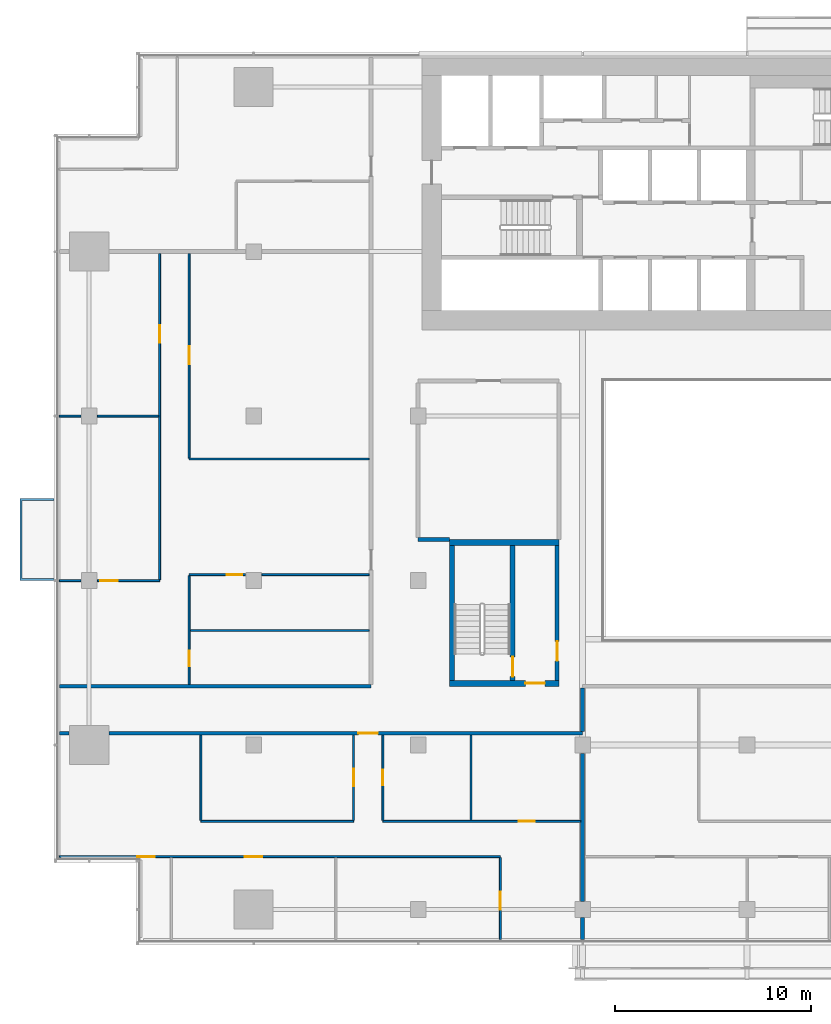
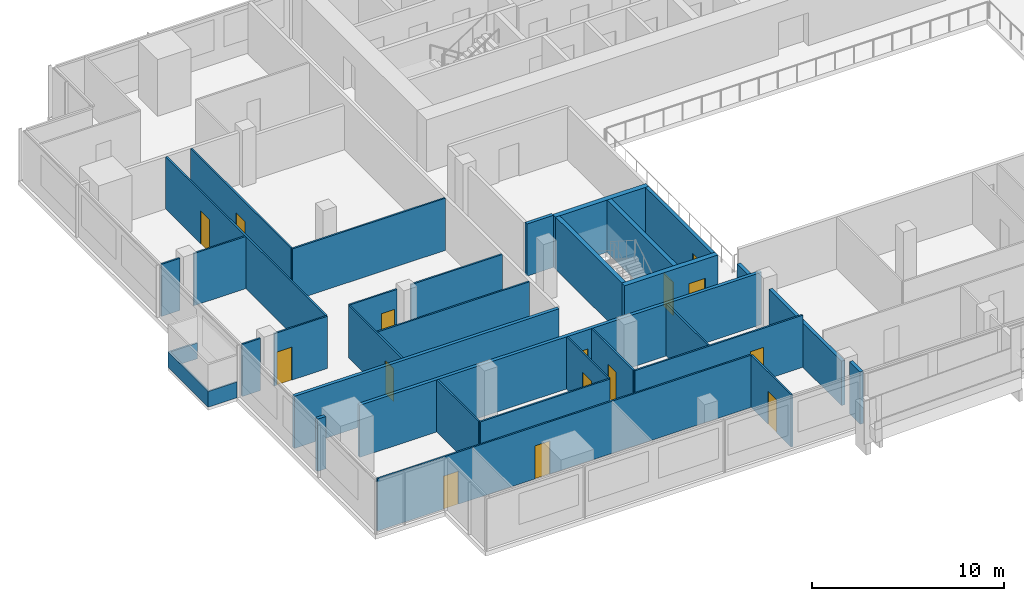
# One storey, part 17 of 26: 32 walls, 15 doors, 15 openings.
"""IFC4 building model written with IfcOpenShell, lengths in metres."""

import ifcopenshell
import ifcopenshell.guid

model = None  # the IFC model being written
_history = None  # IfcOwnerHistory: only IFC2X3 demands one
_inside = {}  # id of a spatial element -> (the spatial element, [elements in it])
_under = {}  # id of a project, library or spatial element -> (it, [spatial elements below it])
_declared = {}  # id of a project -> (the project, [libraries it declares])
_typed = {}  # id of a type object -> (the type object, [elements of that type])
_made_of = {}  # id of a material, layer set ... -> (it, [elements and type objects made of it])


def new_model(schema):
    """Start an empty IFC model of exactly this schema.

    Asked for "IFC4X3", IfcOpenShell would pick the latest addendum, in which some entities
    have other attributes; the version numbers below select the first issue.
    IFC2X3 requires an IfcOwnerHistory on every rooted entity: one is made here for all.
    """
    global model, _history
    if schema == "IFC4X3":
        model = ifcopenshell.file(schema_version=(4, 3, 0, 0))
    else:
        model = ifcopenshell.file(schema=schema)
    _inside.clear()
    _under.clear()
    _declared.clear()
    _typed.clear()
    _made_of.clear()
    _history = None
    if model.schema == "IFC2X3":
        org = make("IfcOrganization", Name="unknown")
        user = make(
            "IfcPersonAndOrganization",
            ThePerson=make("IfcPerson", FamilyName="unknown"),
            TheOrganization=org,
        )
        app = make(
            "IfcApplication",
            ApplicationDeveloper=org,
            Version="unknown",
            ApplicationFullName="unknown",
            ApplicationIdentifier="unknown",
        )
        _history = make(
            "IfcOwnerHistory",
            OwningUser=user,
            OwningApplication=app,
            ChangeAction="ADDED",
            CreationDate=0,
        )
    return model


def make(cls, **values):
    """One entity of the class cls with the attributes given. An attribute that is None is left unset."""
    return model.create_entity(
        cls, **{name: value for name, value in values.items() if value is not None}
    )


def rooted(cls, **values):
    """An entity with a GlobalId (a new one), such as an element, a storey or a relation."""
    return make(cls, GlobalId=ifcopenshell.guid.new(), OwnerHistory=_history, **values)


def si_unit(unit_type, name, prefix=None):
    """IfcSIUnit, for example si_unit("LENGTHUNIT", "METRE", prefix="MILLI")."""
    return make("IfcSIUnit", UnitType=unit_type, Prefix=prefix, Name=name)


def assignment(units):
    """IfcUnitAssignment: the units of a project."""
    return None if units is None else make("IfcUnitAssignment", Units=units)


def point(xyz):
    """IfcCartesianPoint."""
    return None if xyz is None else make("IfcCartesianPoint", Coordinates=xyz)


def direction(xyz):
    """IfcDirection."""
    return None if xyz is None else make("IfcDirection", DirectionRatios=xyz)


def frame(location, z_axis=None, x_axis=None):
    """IfcAxis2Placement3D, a coordinate frame: its origin and axes. An axis left out is left unset."""
    return make(
        "IfcAxis2Placement3D",
        Location=point(location),
        Axis=direction(z_axis),
        RefDirection=direction(x_axis),
    )


def frame_2d(location, x_axis=None):
    """IfcAxis2Placement2D, a coordinate frame in the plane: its origin and x axis."""
    return make(
        "IfcAxis2Placement2D", Location=point(location), RefDirection=direction(x_axis)
    )


def origin():
    """The frame at (0, 0, 0) with its axes left unset."""
    return frame((0.0, 0.0, 0.0))


def place(relative_to, where):
    """IfcLocalPlacement: puts the frame where relative to a parent placement (None: the world)."""
    return make(
        "IfcLocalPlacement", PlacementRelTo=relative_to, RelativePlacement=where
    )


def context(
    kind, dimensions, precision=None, world=None, true_north=None, identifier=None
):
    """IfcGeometricRepresentationContext, for example the 3D "Model" context."""
    return make(
        "IfcGeometricRepresentationContext",
        ContextIdentifier=identifier,
        ContextType=kind,
        CoordinateSpaceDimension=dimensions,
        Precision=precision,
        WorldCoordinateSystem=world,
        TrueNorth=true_north,
    )


def subcontext(parent, identifier, kind, view, scale=None):
    """IfcGeometricRepresentationSubContext, for example "Body" below "Model"."""
    return make(
        "IfcGeometricRepresentationSubContext",
        ContextIdentifier=identifier,
        ContextType=kind,
        ParentContext=parent,
        TargetScale=scale,
        TargetView=view,
    )


def project(units=None, contexts=None):
    """IfcProject with its units and contexts."""
    return rooted(
        "IfcProject",
        Name="project",
        RepresentationContexts=contexts,
        UnitsInContext=assignment(units),
    )


def spatial(cls, under=None, at=None, **own):
    """A site, building, storey or space (cls), placed at a placement, below another one or the project."""
    s = rooted(cls, ObjectPlacement=at, **own)
    if under is not None:
        _under.setdefault(under.id(), (under, []))[1].append(s)
    return s


def polyline(points):
    """IfcPolyline through the points."""
    return make("IfcPolyline", Points=[point(p) for p in points])


def profile(cls, at=None, kind="AREA", **sizes):
    """A parametric profile (cls). Its sizes go by their IFC names, for example OverallWidth=200.0."""
    return make(cls, ProfileType=kind, Position=at, **sizes)


def rectangle(**sizes):
    """IfcRectangleProfileDef."""
    return profile("IfcRectangleProfileDef", **sizes)


def outline(outer, holes=None, kind="AREA"):
    """IfcArbitraryClosedProfileDef: a profile drawn as a closed curve; with holes, ...WithVoids."""
    if holes is None:
        return make("IfcArbitraryClosedProfileDef", ProfileType=kind, OuterCurve=outer)
    return make(
        "IfcArbitraryProfileDefWithVoids",
        ProfileType=kind,
        OuterCurve=outer,
        InnerCurves=holes,
    )


def extrude(swept, where, along, depth):
    """IfcExtrudedAreaSolid: the profile swept, set in the frame where, extruded along a direction by depth."""
    return make(
        "IfcExtrudedAreaSolid",
        SweptArea=swept,
        Position=where,
        ExtrudedDirection=direction(along),
        Depth=depth,
    )


def shape(context_of_items, identifier, shape_type, items):
    """IfcShapeRepresentation: the items that make up one representation, for example the "Body"."""
    return make(
        "IfcShapeRepresentation",
        ContextOfItems=context_of_items,
        RepresentationIdentifier=identifier,
        RepresentationType=shape_type,
        Items=items,
    )


def material(Name=None, Category=None):
    """IfcMaterial."""
    return make("IfcMaterial", Name=Name, Category=Category)


def layer(
    of_material, thickness, ventilated=None, Name=None, Category=None, Priority=None
):
    """IfcMaterialLayer: one layer of a wall or slab, of a material (None: an air gap)."""
    return make(
        "IfcMaterialLayer",
        Material=of_material,
        LayerThickness=thickness,
        IsVentilated=ventilated,
        Name=Name,
        Category=Category,
        Priority=Priority,
    )


def layer_set(layers, Name=None):
    """IfcMaterialLayerSet."""
    return make("IfcMaterialLayerSet", MaterialLayers=layers, LayerSetName=Name)


def made_of(thing, what):
    """Note that an element or type object is made of a material, layer set ...; save() writes the relation."""
    if what is not None:
        _made_of.setdefault(what.id(), (what, []))[1].append(thing)
    return thing


def type_object(cls, material=None, **own):
    """A type object (cls), such as IfcWallType, which elements share."""
    return made_of(rooted(cls, **own), material)


def element(
    cls,
    number,
    at=None,
    inside=None,
    cuts=None,
    type_object=None,
    material=None,
    context=None,
    identifier="Body",
    shape_type=None,
    held_by="IfcProductDefinitionShape",
    body=None,
    shapes=None,
    **own,
):
    """One element of the class cls, such as IfcWall. Its Tag is "e" and its number.

    at: its placement. inside: the storey or other place that contains it. cuts: it is an
    opening in that element (IfcRelVoidsElement). A single representation is given by context,
    identifier, shape_type and body (its items); several are given by shapes. held_by: the class
    of the entity that holds the representations. save() writes the other relations.
    """
    e = rooted(cls, Tag="e%d" % number, ObjectPlacement=at, **own)
    if body is not None:
        shapes = [shape(context, identifier, shape_type, body)]
    if shapes is not None:
        e.Representation = make(held_by, Representations=shapes)
    if inside is not None:
        _inside.setdefault(inside.id(), (inside, []))[1].append(e)
    if cuts is not None:
        rooted(
            "IfcRelVoidsElement", RelatingBuildingElement=cuts, RelatedOpeningElement=e
        )
    if type_object is not None:
        _typed.setdefault(type_object.id(), (type_object, []))[1].append(e)
    return made_of(e, material)


def fill(opening, filler):
    """IfcRelFillsElement: the door or window that sits in an opening."""
    return rooted(
        "IfcRelFillsElement",
        RelatingOpeningElement=opening,
        RelatedBuildingElement=filler,
    )


def aggregate(whole, parts):
    """IfcRelAggregates: a whole, such as a stair, and the parts it consists of."""
    return rooted("IfcRelAggregates", RelatingObject=whole, RelatedObjects=parts)


def save(model, path):
    """Write the relations noted so far, then the file.

    IfcRelAggregates (storeys below a building ...), IfcRelContainedInSpatialStructure (elements
    in a storey), IfcRelDefinesByType, IfcRelAssociatesMaterial and IfcRelDeclares: one each for
    every whole, place, type object, material and project.
    """
    for whole, parts in _under.values():
        aggregate(whole, parts)
    for where, things in _inside.values():
        rooted(
            "IfcRelContainedInSpatialStructure",
            RelatedElements=things,
            RelatingStructure=where,
        )
    for kind, things in _typed.values():
        rooted("IfcRelDefinesByType", RelatedObjects=things, RelatingType=kind)
    for what, things in _made_of.values():
        rooted("IfcRelAssociatesMaterial", RelatedObjects=things, RelatingMaterial=what)
    for by, libraries in _declared.values():
        rooted("IfcRelDeclares", RelatingContext=by, RelatedDefinitions=libraries)
    model.write(path)


model = new_model("IFC4")

# Units and contexts
model_context = context("Model", 3, precision=1e-05, world=origin(), true_north=direction((0.0, 1.0)))
body_context = subcontext(model_context, "Body", "Model", "MODEL_VIEW")
ifc_project = project(units=[si_unit("LENGTHUNIT", "METRE"), si_unit("AREAUNIT", "SQUARE_METRE"), si_unit("VOLUMEUNIT", "CUBIC_METRE"), si_unit("PLANEANGLEUNIT", "RADIAN"), si_unit("MASSUNIT", "GRAM", prefix="KILO")], contexts=[model_context])

# Site, building, storey
site_placement = place(None, origin())
site = spatial("IfcSite", under=ifc_project, at=site_placement, CompositionType="ELEMENT")
building_placement = place(site_placement, origin())
building = spatial("IfcBuilding", under=site, at=building_placement, Name="Saffron Gate Tower", CompositionType="ELEMENT")
storey_placement = place(building_placement, frame((0.0, 0.0, 120.449951171875)))
storey = spatial("IfcBuildingStorey", under=building, at=storey_placement, Name="L28", CompositionType="ELEMENT", Elevation=120.449951171875)

# Wall, opening, door
ifc_material_1 = material(Name="Gypsum board partition on steel studs", Category="steel")
ifc_layer_1 = layer(ifc_material_1, 0.199951171875)
ifc_layer_set_1 = layer_set([ifc_layer_1], Name="CW10 Core partition 200")
wall_type_1 = type_object("IfcWallType", Name="CW10 Core partition 200", PredefinedType="PARTITIONING", material=ifc_layer_set_1)
wall_1_placement = place(storey_placement, frame((73.699951171875, 43.5, 0.0), z_axis=(0.0, 0.0, 1.0), x_axis=(0.0, 1.0, 0.0)))
wall_1 = element("IfcWall", 1, at=wall_1_placement, inside=storey, type_object=wall_type_1, Name="Wall CW10-L28-D-4", PredefinedType="PARTITIONING", context=body_context, shape_type="SweptSolid", body=[
    extrude(rectangle(XDim=6.89990234375, YDim=0.199951171875, at=frame_2d((3.449951171875, 0.0))), origin(), (0.0, 0.0, 1.0), 3.320068359375),
])
opening_1_placement = place(wall_1_placement, frame((1.0, 0.0, 0.0)))
opening_1 = element("IfcOpeningElement", 2, at=opening_1_placement, cuts=wall_1, Name="Opening CR-19", PredefinedType="OPENING", context=body_context, shape_type="SweptSolid", body=[
    extrude(rectangle(XDim=1.0, YDim=2.10009765625, at=frame_2d((0.5, 1.050048828125))), frame((0.0, 0.10986328125, 0.0), z_axis=(0.0, -1.0, 0.0), x_axis=(1.0, 0.0, 0.0)), (0.0, 0.0, 1.0), 0.219970703125),
])
ifc_material_2 = material(Name="Steel fire door set", Category="steel")
door_type_1 = type_object("IfcDoorType", Name="CD4 Lobby door 1000x2100 EI 120", OperationType="NOTDEFINED", PredefinedType="DOOR", material=ifc_material_2)
door_1_placement = place(opening_1_placement, origin())
door_1 = element("IfcDoor", 3, at=door_1_placement, inside=storey, type_object=door_type_1, Name="DOOR CR-19", OperationType="SINGLE_SWING_RIGHT", OverallHeight=2.10009765625, OverallWidth=1.0, PredefinedType="DOOR", context=body_context, shape_type="SweptSolid", body=[
    extrude(rectangle(XDim=1.0, YDim=2.10009765625, at=frame_2d((0.5, 1.050048828125))), frame((0.0, 0.02490234375, 0.0), z_axis=(0.0, -1.0, 0.0), x_axis=(1.0, 0.0, 0.0)), (0.0, 0.0, 1.0), 0.050048828125),
])
fill(opening_1, door_1)

# Wall
ifc_material_3 = material(Name="Concrete C70", Category="concrete")
ifc_layer_2 = layer(ifc_material_3, 0.25)
ifc_layer_set_2 = layer_set([ifc_layer_2], Name="CW2 RC core wall 250 C70")
wall_type_2 = type_object("IfcWallType", Name="CW2 RC core wall 250 C70", PredefinedType="SOLIDWALL", material=ifc_layer_set_2)
wall_2_placement = place(storey_placement, frame((68.324951171875, 43.5, 0.0), z_axis=(0.0, 0.0, 1.0), x_axis=(0.0, 1.0, 0.0)))
element("IfcWall", 4, at=wall_2_placement, inside=storey, type_object=wall_type_2, Name="Wall CW2-L28-D-2", PredefinedType="SOLIDWALL", context=body_context, shape_type="SweptSolid", body=[
    extrude(rectangle(XDim=6.89990234375, YDim=0.25, at=frame_2d((3.449951171875, 0.0))), origin(), (0.0, 0.0, 1.0), 3.320068359375),
])

# Wall, opening, door
wall_3_placement = place(storey_placement, frame((71.425048828125, 43.5, 0.0), z_axis=(0.0, 0.0, 1.0), x_axis=(0.0, 1.0, 0.0)))
wall_3 = element("IfcWall", 5, at=wall_3_placement, inside=storey, type_object=wall_type_2, Name="Wall CW2-L28-D-3", PredefinedType="SOLIDWALL", context=body_context, shape_type="SweptSolid", body=[
    extrude(rectangle(XDim=6.89990234375, YDim=0.25, at=frame_2d((3.449951171875, 0.0))), origin(), (0.0, 0.0, 1.0), 3.320068359375),
])
opening_2_placement = place(wall_3_placement, frame((0.199951171875, 0.0, 0.0)))
opening_2 = element("IfcOpeningElement", 6, at=opening_2_placement, cuts=wall_3, Name="Opening CR-20", PredefinedType="OPENING", context=body_context, shape_type="SweptSolid", body=[
    extrude(rectangle(XDim=1.0, YDim=2.10009765625, at=frame_2d((0.5, 1.050048828125))), frame((0.0, 0.135009765625, 0.0), z_axis=(0.0, -1.0, 0.0), x_axis=(1.0, 0.0, 0.0)), (0.0, 0.0, 1.0), 0.27001953125),
])
door_type_2 = type_object("IfcDoorType", Name="CD5 Stair door 1000x2100 EI 120", OperationType="NOTDEFINED", PredefinedType="DOOR", material=ifc_material_2)
door_2_placement = place(opening_2_placement, origin())
door_2 = element("IfcDoor", 7, at=door_2_placement, inside=storey, type_object=door_type_2, Name="DOOR CR-20", OperationType="SINGLE_SWING_LEFT", OverallHeight=2.10009765625, OverallWidth=1.0, PredefinedType="DOOR", context=body_context, shape_type="SweptSolid", body=[
    extrude(rectangle(XDim=1.0, YDim=2.10009765625, at=frame_2d((0.5, 1.050048828125))), frame((0.0, 0.02490234375, 0.0), z_axis=(0.0, -1.0, 0.0), x_axis=(1.0, 0.0, 0.0)), (0.0, 0.0, 1.0), 0.050048828125),
])
fill(opening_2, door_2)

ifc_layer_3 = layer(ifc_material_3, 0.300048828125)
ifc_layer_set_3 = layer_set([ifc_layer_3], Name="CW5 RC core wall 300 C70")
wall_type_3 = type_object("IfcWallType", Name="CW5 RC core wall 300 C70", PredefinedType="SOLIDWALL", material=ifc_layer_set_3)
wall_4_placement = place(storey_placement, frame((68.199951171875, 43.35009765625, 0.0), z_axis=(0.0, 0.0, 1.0), x_axis=(1.0, 0.0, 0.0)))
wall_4 = element("IfcWall", 8, at=wall_4_placement, inside=storey, type_object=wall_type_3, Name="Wall CW5-L28-D-1", PredefinedType="SOLIDWALL", context=body_context, shape_type="SweptSolid", body=[
    extrude(rectangle(XDim=5.60009765625, YDim=0.300048828125, at=frame_2d((2.800048828125, 0.0))), origin(), (0.0, 0.0, 1.0), 3.320068359375),
])
opening_3_placement = place(wall_4_placement, frame((3.875, 0.0, 0.0)))
opening_3 = element("IfcOpeningElement", 9, at=opening_3_placement, cuts=wall_4, Name="Opening CR-18", PredefinedType="OPENING", context=body_context, shape_type="SweptSolid", body=[
    extrude(rectangle(XDim=1.0, YDim=2.10009765625, at=frame_2d((0.5, 1.050048828125))), frame((0.0, 0.16015625, 0.0), z_axis=(0.0, -1.0, 0.0), x_axis=(1.0, 0.0, 0.0)), (0.0, 0.0, 1.0), 0.320068359375),
])
door_3_placement = place(opening_3_placement, origin())
door_3 = element("IfcDoor", 10, at=door_3_placement, inside=storey, type_object=door_type_1, Name="DOOR CR-18", OperationType="SINGLE_SWING_RIGHT", OverallHeight=2.10009765625, OverallWidth=1.0, PredefinedType="DOOR", context=body_context, shape_type="SweptSolid", body=[
    extrude(rectangle(XDim=1.0, YDim=2.10009765625, at=frame_2d((0.5, 1.050048828125))), frame((0.0, 0.02490234375, 0.0), z_axis=(0.0, -1.0, 0.0), x_axis=(1.0, 0.0, 0.0)), (0.0, 0.0, 1.0), 0.050048828125),
])
fill(opening_3, door_3)

# Wall
wall_5_placement = place(storey_placement, frame((68.199951171875, 50.550048828125, 0.0), z_axis=(0.0, 0.0, 1.0), x_axis=(1.0, 0.0, 0.0)))
element("IfcWall", 11, at=wall_5_placement, inside=storey, type_object=wall_type_3, Name="Wall CW5-L28-D-5", PredefinedType="SOLIDWALL", context=body_context, shape_type="SweptSolid", body=[
    extrude(rectangle(XDim=5.60009765625, YDim=0.300048828125, at=frame_2d((2.800048828125, 0.0))), origin(), (0.0, 0.0, 1.0), 3.320068359375),
])

# Wall, openings, doors
ifc_material_4 = material(Name="Plasterboard on steel studs", Category="steel")
ifc_layer_4 = layer(ifc_material_4, 0.10009765625)
ifc_layer_set_4 = layer_set([ifc_layer_4], Name="PW1 Partition 100")
wall_type_4 = type_object("IfcWallType", Name="PW1 Partition 100", PredefinedType="PARTITIONING", material=ifc_layer_set_4)
wall_6_placement = place(storey_placement, frame((70.800048828125, 34.5, 0.0), z_axis=(0.0, 0.0, 1.0), x_axis=(-1.0, 0.0, 0.0)))
wall_6 = element("IfcWall", 12, at=wall_6_placement, inside=storey, type_object=wall_type_4, Name="Partition B3-1", PredefinedType="PARTITIONING", context=body_context, shape_type="SweptSolid", body=[
    extrude(rectangle(XDim=22.52001953125, YDim=0.10009765625, at=frame_2d((11.260009765625, 0.0))), origin(), (0.0, 0.0, 1.0), 3.320068359375),
])
opening_4_placement = place(wall_6_placement, frame((12.14990234375, 0.0, 0.0)))
opening_4 = element("IfcOpeningElement", 13, at=opening_4_placement, cuts=wall_6, Name="Opening B3-9", PredefinedType="OPENING", context=body_context, shape_type="SweptSolid", body=[
    extrude(rectangle(XDim=0.89990234375, YDim=2.10009765625, at=frame_2d((0.449951171875, 1.050048828125))), frame((0.0, 0.06005859375, 0.0), z_axis=(0.0, -1.0, 0.0), x_axis=(1.0, 0.0, 0.0)), (0.0, 0.0, 1.0), 0.1201171875),
])
opening_5_placement = place(wall_6_placement, frame((17.65380859375, 0.0, 0.0)))
opening_5 = element("IfcOpeningElement", 14, at=opening_5_placement, cuts=wall_6, Name="Opening B3-8", PredefinedType="OPENING", context=body_context, shape_type="SweptSolid", body=[
    extrude(rectangle(XDim=0.89990234375, YDim=2.10009765625, at=frame_2d((0.449951171875, 1.050048828125))), frame((0.0, 0.06005859375, 0.0), z_axis=(0.0, -1.0, 0.0), x_axis=(1.0, 0.0, 0.0)), (0.0, 0.0, 1.0), 0.1201171875),
])
ifc_material_5 = material(Name="Timber door set", Category="wood")
door_type_3 = type_object("IfcDoorType", Name="RD1 Room door 900x2100", OperationType="NOTDEFINED", PredefinedType="DOOR", material=ifc_material_5)
door_4_placement = place(opening_4_placement, origin())
door_4 = element("IfcDoor", 15, at=door_4_placement, inside=storey, type_object=door_type_3, Name="Door B3-9", OperationType="SINGLE_SWING_RIGHT", OverallHeight=2.10009765625, OverallWidth=0.89990234375, PredefinedType="DOOR", context=body_context, shape_type="SweptSolid", body=[
    extrude(rectangle(XDim=0.89990234375, YDim=2.10009765625, at=frame_2d((0.449951171875, 1.050048828125))), frame((0.0, 0.02490234375, 0.0), z_axis=(0.0, -1.0, 0.0), x_axis=(1.0, 0.0, 0.0)), (0.0, 0.0, 1.0), 0.050048828125),
])
fill(opening_4, door_4)
door_5_placement = place(opening_5_placement, origin())
door_5 = element("IfcDoor", 16, at=door_5_placement, inside=storey, type_object=door_type_3, Name="Door B3-8", OperationType="SINGLE_SWING_LEFT", OverallHeight=2.10009765625, OverallWidth=0.89990234375, PredefinedType="DOOR", context=body_context, shape_type="SweptSolid", body=[
    extrude(rectangle(XDim=0.89990234375, YDim=2.10009765625, at=frame_2d((0.449951171875, 1.050048828125))), frame((0.0, 0.02490234375, 0.0), z_axis=(0.0, -1.0, 0.0), x_axis=(1.0, 0.0, 0.0)), (0.0, 0.0, 1.0), 0.050048828125),
])
fill(opening_5, door_5)

# Wall
wall_7_placement = place(storey_placement, frame((55.5, 36.300048828125, 0.0), z_axis=(0.0, 0.0, 1.0), x_axis=(1.0, 0.0, 0.0)))
element("IfcWall", 17, at=wall_7_placement, inside=storey, type_object=wall_type_4, Name="Partition B3-5", PredefinedType="PARTITIONING", context=body_context, shape_type="SweptSolid", body=[
    extrude(rectangle(XDim=7.800048828125, YDim=0.10009765625, at=frame_2d((3.89990234375, 0.0))), origin(), (0.0, 0.0, 1.0), 3.320068359375),
])

# Wall, opening, door
wall_8_placement = place(storey_placement, frame((64.800048828125, 36.300048828125, 0.0), z_axis=(0.0, 0.0, 1.0), x_axis=(1.0, 0.0, 0.0)))
wall_8 = element("IfcWall", 18, at=wall_8_placement, inside=storey, type_object=wall_type_4, Name="Partition B3-6", PredefinedType="PARTITIONING", context=body_context, shape_type="SweptSolid", body=[
    extrude(rectangle(XDim=10.099853515625, YDim=0.10009765625, at=frame_2d((5.0498046875, 0.0))), origin(), (0.0, 0.0, 1.0), 3.320068359375),
])
opening_6_placement = place(wall_8_placement, frame((6.949951171875, 0.0, 0.0)))
opening_6 = element("IfcOpeningElement", 19, at=opening_6_placement, cuts=wall_8, Name="Opening B3-33", PredefinedType="OPENING", context=body_context, shape_type="SweptSolid", body=[
    extrude(rectangle(XDim=0.800048828125, YDim=2.10009765625, at=frame_2d((0.39990234375, 1.050048828125))), frame((0.0, 0.06005859375, 0.0), z_axis=(0.0, -1.0, 0.0), x_axis=(1.0, 0.0, 0.0)), (0.0, 0.0, 1.0), 0.1201171875),
])
door_type_4 = type_object("IfcDoorType", Name="RD2 Bathroom door 800x2100", OperationType="NOTDEFINED", PredefinedType="DOOR", material=ifc_material_5)
door_6_placement = place(opening_6_placement, origin())
door_6 = element("IfcDoor", 20, at=door_6_placement, inside=storey, type_object=door_type_4, Name="Door B3-33", OperationType="SINGLE_SWING_RIGHT", OverallHeight=2.10009765625, OverallWidth=0.800048828125, PredefinedType="DOOR", context=body_context, shape_type="SweptSolid", body=[
    extrude(rectangle(XDim=0.800048828125, YDim=2.10009765625, at=frame_2d((0.39990234375, 1.050048828125))), frame((0.0, 0.02490234375, 0.0), z_axis=(0.0, -1.0, 0.0), x_axis=(1.0, 0.0, 0.0)), (0.0, 0.0, 1.0), 0.050048828125),
])
fill(opening_6, door_6)

# Walls
wall_9_placement = place(storey_placement, frame((54.949951171875, 46.049560546875, 0.0), z_axis=(0.0, 0.0, 1.0), x_axis=(1.0, 0.0, 0.0)))
element("IfcWall", 21, at=wall_9_placement, inside=storey, type_object=wall_type_4, Name="Partition B3-16", PredefinedType="PARTITIONING", context=body_context, shape_type="SweptSolid", body=[
    extrude(rectangle(XDim=9.150146484375, YDim=0.10009765625, at=frame_2d((4.5751953125, 0.0))), origin(), (0.0, 0.0, 1.0), 3.320068359375),
])
wall_10_placement = place(storey_placement, frame((48.280029296875, 48.60009765625, 0.0), z_axis=(0.0, 0.0, 1.0), x_axis=(1.0, 0.0, 0.0)))
element("IfcWall", 22, at=wall_10_placement, inside=storey, type_object=wall_type_4, Name="Partition B3-18", PredefinedType="PARTITIONING", context=body_context, shape_type="SweptSolid", body=[
    extrude(rectangle(XDim=1.099853515625, YDim=0.10009765625, at=frame_2d((0.5498046875, 0.0))), origin(), (0.0, 0.0, 1.0), 3.320068359375),
])

# Wall, opening, door
wall_11_placement = place(storey_placement, frame((50.219970703125, 48.60009765625, 0.0), z_axis=(0.0, 0.0, 1.0), x_axis=(1.0, 0.0, 0.0)))
wall_11 = element("IfcWall", 23, at=wall_11_placement, inside=storey, type_object=wall_type_4, Name="Partition B3-19", PredefinedType="PARTITIONING", context=body_context, shape_type="SweptSolid", body=[
    extrude(rectangle(XDim=3.179931640625, YDim=0.10009765625, at=frame_2d((1.58984375, 0.0))), origin(), (0.0, 0.0, 1.0), 3.320068359375),
])
opening_7_placement = place(wall_11_placement, frame((0.14990234375, 0.0, 0.0)))
opening_7 = element("IfcOpeningElement", 24, at=opening_7_placement, cuts=wall_11, Name="Opening B3-22", PredefinedType="OPENING", context=body_context, shape_type="SweptSolid", body=[
    extrude(rectangle(XDim=0.89990234375, YDim=2.10009765625, at=frame_2d((0.449951171875, 1.050048828125))), frame((0.0, 0.06005859375, 0.0), z_axis=(0.0, -1.0, 0.0), x_axis=(1.0, 0.0, 0.0)), (0.0, 0.0, 1.0), 0.1201171875),
])
door_7_placement = place(opening_7_placement, origin())
door_7 = element("IfcDoor", 25, at=door_7_placement, inside=storey, type_object=door_type_3, Name="Door B3-22", OperationType="SINGLE_SWING_LEFT", OverallHeight=2.10009765625, OverallWidth=0.89990234375, PredefinedType="DOOR", context=body_context, shape_type="SweptSolid", body=[
    extrude(rectangle(XDim=0.89990234375, YDim=2.10009765625, at=frame_2d((0.449951171875, 1.050048828125))), frame((0.0, 0.02490234375, 0.0), z_axis=(0.0, -1.0, 0.0), x_axis=(1.0, 0.0, 0.0)), (0.0, 0.0, 1.0), 0.050048828125),
])
fill(opening_7, door_7)

wall_12_placement = place(storey_placement, frame((57.780029296875, 48.89990234375, 0.0), z_axis=(0.0, 0.0, 1.0), x_axis=(-1.0, 0.0, 0.0)))
wall_12 = element("IfcWall", 26, at=wall_12_placement, inside=storey, type_object=wall_type_4, Name="Partition B3-22", PredefinedType="PARTITIONING", context=body_context, shape_type="SweptSolid", body=[
    extrude(rectangle(XDim=2.880126953125, YDim=0.10009765625, at=frame_2d((1.43994140625, 0.0))), origin(), (0.0, 0.0, 1.0), 3.320068359375),
])
opening_8_placement = place(wall_12_placement, frame((0.14990234375, 0.0, 0.0)))
opening_8 = element("IfcOpeningElement", 27, at=opening_8_placement, cuts=wall_12, Name="Opening B3-39", PredefinedType="OPENING", context=body_context, shape_type="SweptSolid", body=[
    extrude(rectangle(XDim=0.800048828125, YDim=2.10009765625, at=frame_2d((0.39990234375, 1.050048828125))), frame((0.0, 0.06005859375, 0.0), z_axis=(0.0, -1.0, 0.0), x_axis=(1.0, 0.0, 0.0)), (0.0, 0.0, 1.0), 0.1201171875),
])
door_8_placement = place(opening_8_placement, origin())
door_8 = element("IfcDoor", 28, at=door_8_placement, inside=storey, type_object=door_type_4, Name="Door B3-39", OperationType="SINGLE_SWING_LEFT", OverallHeight=2.10009765625, OverallWidth=0.800048828125, PredefinedType="DOOR", context=body_context, shape_type="SweptSolid", body=[
    extrude(rectangle(XDim=0.800048828125, YDim=2.10009765625, at=frame_2d((0.39990234375, 1.050048828125))), frame((0.0, 0.02490234375, 0.0), z_axis=(0.0, -1.0, 0.0), x_axis=(1.0, 0.0, 0.0)), (0.0, 0.0, 1.0), 0.050048828125),
])
fill(opening_8, door_8)

# Walls
wall_13_placement = place(storey_placement, frame((58.6201171875, 48.89990234375, 0.0), z_axis=(0.0, 0.0, 1.0), x_axis=(1.0, 0.0, 0.0)))
element("IfcWall", 29, at=wall_13_placement, inside=storey, type_object=wall_type_4, Name="Partition B3-23", PredefinedType="PARTITIONING", context=body_context, shape_type="SweptSolid", body=[
    extrude(rectangle(XDim=5.47998046875, YDim=0.10009765625, at=frame_2d((2.739990234375, 0.0))), origin(), (0.0, 0.0, 1.0), 3.320068359375),
])
wall_14_placement = place(storey_placement, frame((54.89990234375, 54.80859375, 0.0), z_axis=(0.0, 0.0, 1.0), x_axis=(1.0, 0.0, 0.0)))
element("IfcWall", 30, at=wall_14_placement, inside=storey, type_object=wall_type_4, Name="Partition B3-27", PredefinedType="PARTITIONING", context=body_context, shape_type="SweptSolid", body=[
    extrude(rectangle(XDim=9.2001953125, YDim=0.10009765625, at=frame_2d((4.60009765625, 0.0))), origin(), (0.0, 0.0, 1.0), 3.320068359375),
])
wall_15_placement = place(storey_placement, frame((48.280029296875, 57.0, 0.0), z_axis=(0.0, 0.0, 1.0), x_axis=(1.0, 0.0, 0.0)))
element("IfcWall", 31, at=wall_15_placement, inside=storey, type_object=wall_type_4, Name="Partition B3-32", PredefinedType="PARTITIONING", context=body_context, shape_type="SweptSolid", body=[
    extrude(rectangle(XDim=1.099853515625, YDim=0.10009765625, at=frame_2d((0.5498046875, 0.0))), origin(), (0.0, 0.0, 1.0), 3.320068359375),
])
wall_16_placement = place(storey_placement, frame((50.219970703125, 57.0, 0.0), z_axis=(0.0, 0.0, 1.0), x_axis=(1.0, 0.0, 0.0)))
element("IfcWall", 32, at=wall_16_placement, inside=storey, type_object=wall_type_4, Name="Partition B3-33", PredefinedType="PARTITIONING", context=body_context, shape_type="SweptSolid", body=[
    extrude(rectangle(XDim=3.130126953125, YDim=0.10009765625, at=frame_2d((1.56494140625, 0.0))), origin(), (0.0, 0.0, 1.0), 3.320068359375),
])

# Wall, opening, door
wall_17_placement = place(storey_placement, frame((53.39990234375, 48.64990234375, 0.0), z_axis=(0.0, 0.0, 1.0), x_axis=(0.0, 1.0, 0.0)))
wall_17 = element("IfcWall", 33, at=wall_17_placement, inside=storey, type_object=wall_type_4, Name="Partition B3-47", PredefinedType="PARTITIONING", context=body_context, shape_type="SweptSolid", body=[
    extrude(rectangle(XDim=16.650146484375, YDim=0.10009765625, at=frame_2d((8.3251953125, 0.0))), origin(), (0.0, 0.0, 1.0), 3.320068359375),
])
opening_9_placement = place(wall_17_placement, frame((12.10009765625, 0.0, 0.0)))
opening_9 = element("IfcOpeningElement", 34, at=opening_9_placement, cuts=wall_17, Name="Opening B3-23", PredefinedType="OPENING", context=body_context, shape_type="SweptSolid", body=[
    extrude(rectangle(XDim=0.89990234375, YDim=2.10009765625, at=frame_2d((0.449951171875, 1.050048828125))), frame((0.0, 0.06005859375, 0.0), z_axis=(0.0, -1.0, 0.0), x_axis=(1.0, 0.0, 0.0)), (0.0, 0.0, 1.0), 0.1201171875),
])
door_9_placement = place(opening_9_placement, origin())
door_9 = element("IfcDoor", 35, at=door_9_placement, inside=storey, type_object=door_type_3, Name="Door B3-23", OperationType="SINGLE_SWING_RIGHT", OverallHeight=2.10009765625, OverallWidth=0.89990234375, PredefinedType="DOOR", context=body_context, shape_type="SweptSolid", body=[
    extrude(rectangle(XDim=0.89990234375, YDim=2.10009765625, at=frame_2d((0.449951171875, 1.050048828125))), frame((0.0, 0.02490234375, 0.0), z_axis=(0.0, -1.0, 0.0), x_axis=(1.0, 0.0, 0.0)), (0.0, 0.0, 1.0), 0.050048828125),
])
fill(opening_9, door_9)

wall_18_placement = place(storey_placement, frame((54.89990234375, 48.85009765625, 0.0), z_axis=(0.0, 0.0, 1.0), x_axis=(0.0, -1.0, 0.0)))
wall_18 = element("IfcWall", 36, at=wall_18_placement, inside=storey, type_object=wall_type_4, Name="Partition B3-50", PredefinedType="PARTITIONING", context=body_context, shape_type="SweptSolid", body=[
    extrude(rectangle(XDim=5.550048828125, YDim=0.10009765625, at=frame_2d((2.77490234375, 0.0))), origin(), (0.0, 0.0, 1.0), 3.320068359375),
])
opening_10_placement = place(wall_18_placement, frame((3.8251953125, 0.0, 0.0)))
opening_10 = element("IfcOpeningElement", 37, at=opening_10_placement, cuts=wall_18, Name="Opening B3-38", PredefinedType="OPENING", context=body_context, shape_type="SweptSolid", body=[
    extrude(rectangle(XDim=0.800048828125, YDim=2.10009765625, at=frame_2d((0.39990234375, 1.050048828125))), frame((0.0, 0.06005859375, 0.0), z_axis=(0.0, -1.0, 0.0), x_axis=(1.0, 0.0, 0.0)), (0.0, 0.0, 1.0), 0.1201171875),
])
door_10_placement = place(opening_10_placement, origin())
door_10 = element("IfcDoor", 38, at=door_10_placement, inside=storey, type_object=door_type_4, Name="Door B3-38", OperationType="SINGLE_SWING_RIGHT", OverallHeight=2.10009765625, OverallWidth=0.800048828125, PredefinedType="DOOR", context=body_context, shape_type="SweptSolid", body=[
    extrude(rectangle(XDim=0.800048828125, YDim=2.10009765625, at=frame_2d((0.39990234375, 1.050048828125))), frame((0.0, 0.02490234375, 0.0), z_axis=(0.0, -1.0, 0.0), x_axis=(1.0, 0.0, 0.0)), (0.0, 0.0, 1.0), 0.050048828125),
])
fill(opening_10, door_10)

wall_19_placement = place(storey_placement, frame((54.89990234375, 65.300048828125, 0.0), z_axis=(0.0, 0.0, 1.0), x_axis=(0.0, -1.0, 0.0)))
wall_19 = element("IfcWall", 39, at=wall_19_placement, inside=storey, type_object=wall_type_4, Name="Partition B3-51", PredefinedType="PARTITIONING", context=body_context, shape_type="SweptSolid", body=[
    extrude(rectangle(XDim=10.44140625, YDim=0.10009765625, at=frame_2d((5.220703125, 0.0))), origin(), (0.0, 0.0, 1.0), 3.320068359375),
])
opening_11_placement = place(wall_19_placement, frame((4.74560546875, 0.0, 0.0)))
opening_11 = element("IfcOpeningElement", 40, at=opening_11_placement, cuts=wall_19, Name="Opening B3-24", PredefinedType="OPENING", context=body_context, shape_type="SweptSolid", body=[
    extrude(rectangle(XDim=0.89990234375, YDim=2.10009765625, at=frame_2d((0.449951171875, 1.050048828125))), frame((0.0, 0.06005859375, 0.0), z_axis=(0.0, -1.0, 0.0), x_axis=(1.0, 0.0, 0.0)), (0.0, 0.0, 1.0), 0.1201171875),
])
door_11_placement = place(opening_11_placement, origin())
door_11 = element("IfcDoor", 41, at=door_11_placement, inside=storey, type_object=door_type_3, Name="Door B3-24", OperationType="SINGLE_SWING_LEFT", OverallHeight=2.10009765625, OverallWidth=0.89990234375, PredefinedType="DOOR", context=body_context, shape_type="SweptSolid", body=[
    extrude(rectangle(XDim=0.89990234375, YDim=2.10009765625, at=frame_2d((0.449951171875, 1.050048828125))), frame((0.0, 0.02490234375, 0.0), z_axis=(0.0, -1.0, 0.0), x_axis=(1.0, 0.0, 0.0)), (0.0, 0.0, 1.0), 0.050048828125),
])
fill(opening_11, door_11)

# Wall
wall_20_placement = place(storey_placement, frame((55.5, 40.699951171875, 0.0), z_axis=(0.0, 0.0, 1.0), x_axis=(0.0, -1.0, 0.0)))
element("IfcWall", 42, at=wall_20_placement, inside=storey, type_object=wall_type_4, Name="Partition B3-52", PredefinedType="PARTITIONING", context=body_context, shape_type="SweptSolid", body=[
    extrude(rectangle(XDim=4.349853515625, YDim=0.10009765625, at=frame_2d((2.1748046875, 0.0))), origin(), (0.0, 0.0, 1.0), 3.320068359375),
])

# Wall, opening, door
wall_21_placement = place(storey_placement, frame((63.300048828125, 36.35009765625, 0.0), z_axis=(0.0, 0.0, 1.0), x_axis=(0.0, 1.0, 0.0)))
wall_21 = element("IfcWall", 43, at=wall_21_placement, inside=storey, type_object=wall_type_4, Name="Partition B3-55", PredefinedType="PARTITIONING", context=body_context, shape_type="SweptSolid", body=[
    extrude(rectangle(XDim=4.349853515625, YDim=0.10009765625, at=frame_2d((2.1748046875, 0.0))), origin(), (0.0, 0.0, 1.0), 3.320068359375),
])
opening_12_placement = place(wall_21_placement, frame((1.75, 0.0, 0.0)))
opening_12 = element("IfcOpeningElement", 44, at=opening_12_placement, cuts=wall_21, Name="Opening B3-11", PredefinedType="OPENING", context=body_context, shape_type="SweptSolid", body=[
    extrude(rectangle(XDim=0.89990234375, YDim=2.10009765625, at=frame_2d((0.449951171875, 1.050048828125))), frame((0.0, 0.06005859375, 0.0), z_axis=(0.0, -1.0, 0.0), x_axis=(1.0, 0.0, 0.0)), (0.0, 0.0, 1.0), 0.1201171875),
])
door_12_placement = place(opening_12_placement, origin())
door_12 = element("IfcDoor", 45, at=door_12_placement, inside=storey, type_object=door_type_3, Name="Door B3-11", OperationType="SINGLE_SWING_RIGHT", OverallHeight=2.10009765625, OverallWidth=0.89990234375, PredefinedType="DOOR", context=body_context, shape_type="SweptSolid", body=[
    extrude(rectangle(XDim=0.89990234375, YDim=2.10009765625, at=frame_2d((0.449951171875, 1.050048828125))), frame((0.0, 0.02490234375, 0.0), z_axis=(0.0, -1.0, 0.0), x_axis=(1.0, 0.0, 0.0)), (0.0, 0.0, 1.0), 0.050048828125),
])
fill(opening_12, door_12)

wall_22_placement = place(storey_placement, frame((64.800048828125, 40.699951171875, 0.0), z_axis=(0.0, 0.0, 1.0), x_axis=(0.0, -1.0, 0.0)))
wall_22 = element("IfcWall", 46, at=wall_22_placement, inside=storey, type_object=wall_type_4, Name="Partition B3-57", PredefinedType="PARTITIONING", context=body_context, shape_type="SweptSolid", body=[
    extrude(rectangle(XDim=4.349853515625, YDim=0.10009765625, at=frame_2d((2.1748046875, 0.0))), origin(), (0.0, 0.0, 1.0), 3.320068359375),
])
opening_13_placement = place(wall_22_placement, frame((1.75, 0.0, 0.0)))
opening_13 = element("IfcOpeningElement", 47, at=opening_13_placement, cuts=wall_22, Name="Opening B3-32", PredefinedType="OPENING", context=body_context, shape_type="SweptSolid", body=[
    extrude(rectangle(XDim=0.800048828125, YDim=2.10009765625, at=frame_2d((0.39990234375, 1.050048828125))), frame((0.0, 0.06005859375, 0.0), z_axis=(0.0, -1.0, 0.0), x_axis=(1.0, 0.0, 0.0)), (0.0, 0.0, 1.0), 0.1201171875),
])
door_13_placement = place(opening_13_placement, origin())
door_13 = element("IfcDoor", 48, at=door_13_placement, inside=storey, type_object=door_type_4, Name="Door B3-32", OperationType="SINGLE_SWING_LEFT", OverallHeight=2.10009765625, OverallWidth=0.800048828125, PredefinedType="DOOR", context=body_context, shape_type="SweptSolid", body=[
    extrude(rectangle(XDim=0.800048828125, YDim=2.10009765625, at=frame_2d((0.39990234375, 1.050048828125))), frame((0.0, 0.02490234375, 0.0), z_axis=(0.0, -1.0, 0.0), x_axis=(1.0, 0.0, 0.0)), (0.0, 0.0, 1.0), 0.050048828125),
])
fill(opening_13, door_13)

# Wall
wall_23_placement = place(storey_placement, frame((69.300048828125, 40.699951171875, 0.0), z_axis=(0.0, 0.0, 1.0), x_axis=(0.0, -1.0, 0.0)))
element("IfcWall", 49, at=wall_23_placement, inside=storey, type_object=wall_type_4, Name="Partition B3-60", PredefinedType="PARTITIONING", context=body_context, shape_type="SweptSolid", body=[
    extrude(rectangle(XDim=4.349853515625, YDim=0.10009765625, at=frame_2d((2.1748046875, 0.0))), origin(), (0.0, 0.0, 1.0), 3.320068359375),
])

# Wall, opening, door
wall_24_placement = place(storey_placement, frame((70.800048828125, 30.280029296875, 0.0), z_axis=(0.0, 0.0, 1.0), x_axis=(0.0, 1.0, 0.0)))
wall_24 = element("IfcWall", 50, at=wall_24_placement, inside=storey, type_object=wall_type_4, Name="Partition B3-61", PredefinedType="PARTITIONING", context=body_context, shape_type="SweptSolid", body=[
    extrude(rectangle(XDim=4.169921875, YDim=0.10009765625, at=frame_2d((2.0849609375, 0.0))), origin(), (0.0, 0.0, 1.0), 3.320068359375),
])
opening_14_placement = place(wall_24_placement, frame((1.52001953125, 0.0, 0.0)))
opening_14 = element("IfcOpeningElement", 51, at=opening_14_placement, cuts=wall_24, Name="Opening B3-10", PredefinedType="OPENING", context=body_context, shape_type="SweptSolid", body=[
    extrude(rectangle(XDim=0.89990234375, YDim=2.10009765625, at=frame_2d((0.449951171875, 1.050048828125))), frame((0.0, 0.06005859375, 0.0), z_axis=(0.0, -1.0, 0.0), x_axis=(1.0, 0.0, 0.0)), (0.0, 0.0, 1.0), 0.1201171875),
])
door_14_placement = place(opening_14_placement, origin())
door_14 = element("IfcDoor", 52, at=door_14_placement, inside=storey, type_object=door_type_3, Name="Door B3-10", OperationType="SINGLE_SWING_LEFT", OverallHeight=2.10009765625, OverallWidth=0.89990234375, PredefinedType="DOOR", context=body_context, shape_type="SweptSolid", body=[
    extrude(rectangle(XDim=0.89990234375, YDim=2.10009765625, at=frame_2d((0.449951171875, 1.050048828125))), frame((0.0, 0.02490234375, 0.0), z_axis=(0.0, -1.0, 0.0), x_axis=(1.0, 0.0, 0.0)), (0.0, 0.0, 1.0), 0.050048828125),
])
fill(opening_14, door_14)

# Walls
ifc_material_6 = material(Name="Clay brick masonry, rendered", Category="masonry")
ifc_layer_5 = layer(ifc_material_6, 0.199951171875)
ifc_layer_set_5 = layer_set([ifc_layer_5], Name="PW2 Demising wall 200")
wall_type_5 = type_object("IfcWallType", Name="PW2 Demising wall 200", PredefinedType="PARTITIONING", material=ifc_layer_set_5)
wall_25_placement = place(storey_placement, frame((75.0, 31.3798828125, 0.0), z_axis=(0.0, 0.0, 1.0), x_axis=(0.0, -1.0, 0.0)))
element("IfcWall", 53, at=wall_25_placement, inside=storey, type_object=wall_type_5, Name="Wall B3-64", PredefinedType="PARTITIONING", context=body_context, shape_type="SweptSolid", body=[
    extrude(rectangle(XDim=1.099853515625, YDim=0.199951171875, at=frame_2d((0.5498046875, 0.0))), origin(), (0.0, 0.0, 1.0), 3.320068359375),
])
wall_26_placement = place(storey_placement, frame((75.0, 39.780029296875, 0.0), z_axis=(0.0, 0.0, 1.0), x_axis=(0.0, -1.0, 0.0)))
element("IfcWall", 54, at=wall_26_placement, inside=storey, type_object=wall_type_5, Name="Wall B3-65", PredefinedType="PARTITIONING", context=body_context, shape_type="SweptSolid", body=[
    extrude(rectangle(XDim=7.56005859375, YDim=0.199951171875, at=frame_2d((3.780029296875, 0.0))), origin(), (0.0, 0.0, 1.0), 2.830078125),
])
ifc_layer_6 = layer(ifc_material_6, 0.199951171875)
ifc_layer_set_6 = layer_set([ifc_layer_6], Name="PW3 Corridor wall 200")
wall_type_6 = type_object("IfcWallType", Name="PW3 Corridor wall 200", PredefinedType="PARTITIONING", material=ifc_layer_set_6)
wall_27_placement = place(storey_placement, frame((48.280029296875, 40.800048828125, 0.0), z_axis=(0.0, 0.0, 1.0), x_axis=(1.0, 0.0, 0.0)))
element("IfcWall", 55, at=wall_27_placement, inside=storey, type_object=wall_type_6, Name="Wall B3-9", PredefinedType="PARTITIONING", context=body_context, shape_type="SweptSolid", body=[
    extrude(rectangle(XDim=0.5, YDim=0.199951171875, at=frame_2d((0.25, 0.0))), origin(), (0.0, 0.0, 1.0), 3.320068359375),
])

# Wall, opening, door
wall_28_placement = place(storey_placement, frame((75.0, 40.800048828125, 0.0), z_axis=(0.0, 0.0, 1.0), x_axis=(-1.0, 0.0, 0.0)))
wall_28 = element("IfcWall", 56, at=wall_28_placement, inside=storey, type_object=wall_type_6, Name="Wall B3-10", PredefinedType="PARTITIONING", context=body_context, shape_type="SweptSolid", body=[
    extrude(rectangle(XDim=24.179931640625, YDim=0.199951171875, at=frame_2d((12.08984375, 0.0))), origin(), (0.0, 0.0, 1.0), 3.320068359375),
])
opening_15_placement = place(wall_28_placement, frame((10.449951171875, 0.0, 0.0)))
opening_15 = element("IfcOpeningElement", 57, at=opening_15_placement, cuts=wall_28, Name="Opening B3-1", PredefinedType="OPENING", context=body_context, shape_type="SweptSolid", body=[
    extrude(rectangle(XDim=1.0, YDim=2.10009765625, at=frame_2d((0.5, 1.050048828125))), frame((0.0, 0.10986328125, 0.0), z_axis=(0.0, -1.0, 0.0), x_axis=(1.0, 0.0, 0.0)), (0.0, 0.0, 1.0), 0.219970703125),
])
ifc_material_7 = material(Name="Timber fire door set", Category="wood")
door_type_5 = type_object("IfcDoorType", Name="FD1 Flat entry door 1000x2100", OperationType="NOTDEFINED", PredefinedType="DOOR", material=ifc_material_7)
door_15_placement = place(opening_15_placement, origin())
door_15 = element("IfcDoor", 58, at=door_15_placement, inside=storey, type_object=door_type_5, Name="Door B3-1", OperationType="SINGLE_SWING_LEFT", OverallHeight=2.10009765625, OverallWidth=1.0, PredefinedType="DOOR", context=body_context, shape_type="SweptSolid", body=[
    extrude(rectangle(XDim=1.0, YDim=2.10009765625, at=frame_2d((0.5, 1.050048828125))), frame((0.0, 0.02490234375, 0.0), z_axis=(0.0, -1.0, 0.0), x_axis=(1.0, 0.0, 0.0)), (0.0, 0.0, 1.0), 0.050048828125),
])
fill(opening_15, door_15)

# Walls
wall_29_placement = place(storey_placement, frame((48.280029296875, 43.199951171875, 0.0), z_axis=(0.0, 0.0, 1.0), x_axis=(1.0, 0.0, 0.0)))
element("IfcWall", 59, at=wall_29_placement, inside=storey, type_object=wall_type_6, Name="Wall B3-13", PredefinedType="PARTITIONING", context=body_context, shape_type="SweptSolid", body=[
    extrude(rectangle(XDim=15.919921875, YDim=0.199951171875, at=frame_2d((7.9599609375, 0.0))), origin(), (0.0, 0.0, 1.0), 3.320068359375),
])
wall_30_placement = place(storey_placement, frame((66.60009765625, 50.699951171875, 0.0), z_axis=(0.0, 0.0, 1.0), x_axis=(1.0, 0.0, 0.0)))
element("IfcWall", 60, at=wall_30_placement, inside=storey, type_object=wall_type_6, Name="Wall B3-24", PredefinedType="PARTITIONING", context=body_context, shape_type="SweptSolid", body=[
    extrude(rectangle(XDim=1.599853515625, YDim=0.199951171875, at=frame_2d((0.7998046875, 0.0))), origin(), (0.0, 0.0, 1.0), 3.320068359375),
])
wall_31_placement = place(storey_placement, frame((75.0, 43.10009765625, 0.0), z_axis=(0.0, 0.0, 1.0), x_axis=(0.0, -1.0, 0.0)))
element("IfcWall", 61, at=wall_31_placement, inside=storey, type_object=wall_type_6, Name="Wall B3-63", PredefinedType="PARTITIONING", context=body_context, shape_type="SweptSolid", body=[
    extrude(rectangle(XDim=2.2001953125, YDim=0.199951171875, at=frame_2d((1.10009765625, 0.0))), origin(), (0.0, 0.0, 1.0), 2.429931640625),
])
ifc_material_8 = material(Name="Rendered insulated panel, white")
ifc_layer_7 = layer(ifc_material_8, 0.10009765625)
ifc_layer_set_7 = layer_set([ifc_layer_7], Name="WB3 box parapet white")
wall_type_7 = type_object("IfcWallType", Name="WB3 box parapet white", PredefinedType="SOLIDWALL", material=ifc_layer_set_7)
wall_32_placement = place(storey_placement, origin())
element("IfcWall", 62, at=wall_32_placement, inside=storey, type_object=wall_type_7, Name="WINDOW BOX parapet", PredefinedType="SOLIDWALL", context=body_context, shape_type="SweptSolid", body=[
    extrude(outline(polyline([(48.0, 52.800048828125), (48.0, 52.699951171875), (46.366943359375, 52.699951171875), (46.366943359375, 48.699951171875), (48.0, 48.699951171875), (48.0, 48.60009765625), (46.26708984375, 48.60009765625), (46.26708984375, 52.800048828125), (48.0, 52.800048828125)])), origin(), (0.0, 0.0, 1.0), 1.0),
])

save(model, "model.ifc")
